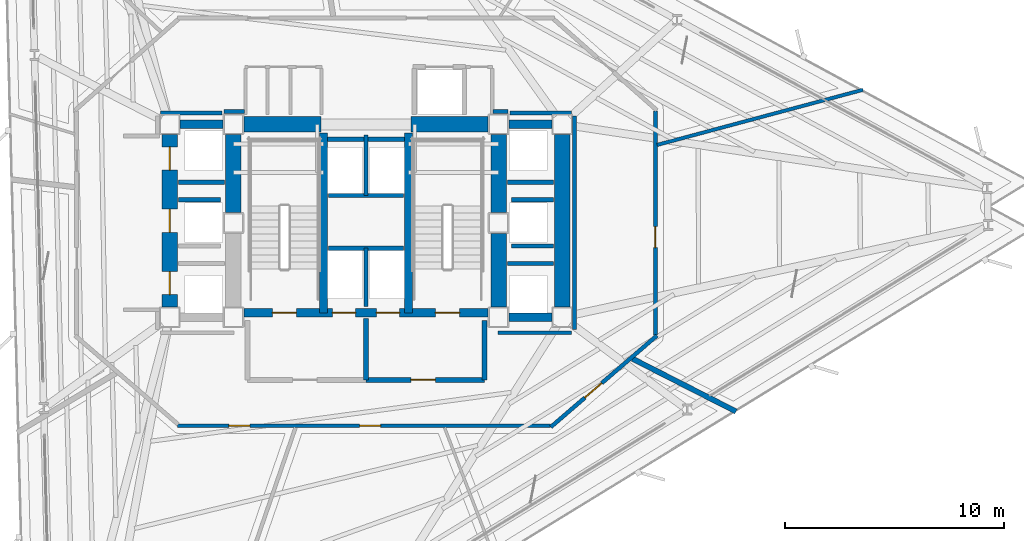
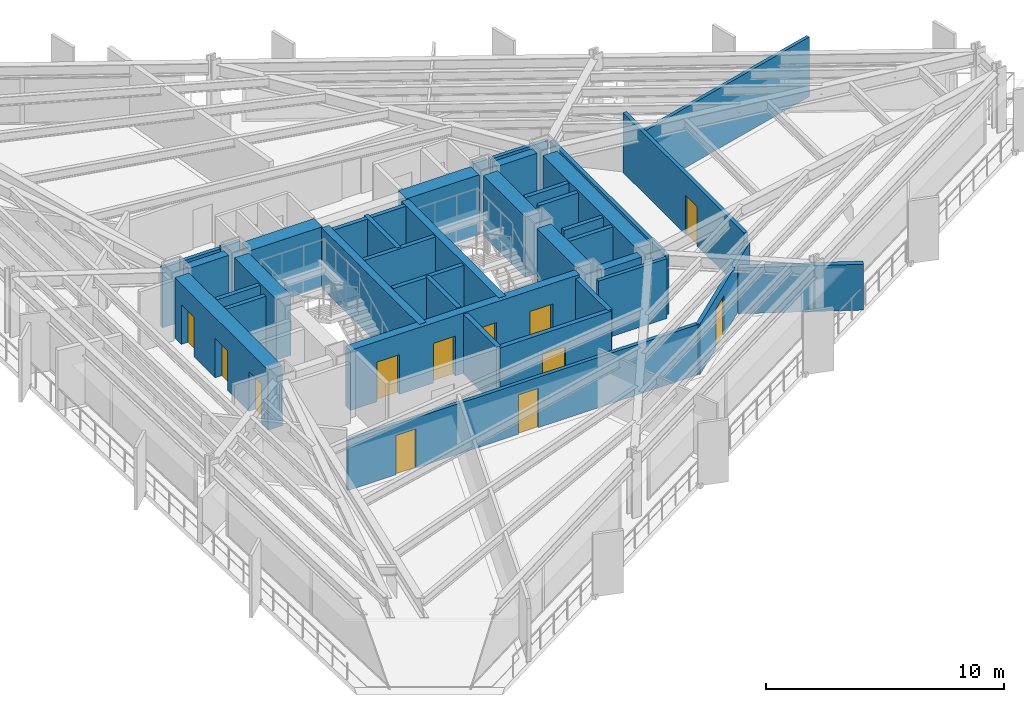
# One storey, part 8 of 14: 38 walls, 12 doors, 12 openings.
"""IFC4 building model written with IfcOpenShell, lengths in metres."""

from ifc_helpers import new_model, si_unit, direction, frame, frame_2d, origin, place, context, subcontext, project, spatial, rectangle, extrude, material, layer, layer_set, type_object, element, fill, save


model = new_model("IFC4")

# Units and contexts
model_context = context("Model", 3, precision=1e-05, world=origin(), true_north=direction((0.0, 1.0)))
body_context = subcontext(model_context, "Body", "Model", "MODEL_VIEW")
ifc_project = project(units=[si_unit("LENGTHUNIT", "METRE"), si_unit("AREAUNIT", "SQUARE_METRE"), si_unit("VOLUMEUNIT", "CUBIC_METRE"), si_unit("PLANEANGLEUNIT", "RADIAN"), si_unit("MASSUNIT", "GRAM", prefix="KILO")], contexts=[model_context])

# Site, building, storey
site_placement = place(None, origin())
site = spatial("IfcSite", under=ifc_project, at=site_placement, CompositionType="ELEMENT")
building_placement = place(site_placement, origin())
building = spatial("IfcBuilding", under=site, at=building_placement, Name="Rocaltana Carrier Exchange", CompositionType="ELEMENT")
storey_placement = place(building_placement, frame((0.0, 0.0, 28.9599609375)))
storey = spatial("IfcBuildingStorey", under=building, at=storey_placement, Name="L09", CompositionType="ELEMENT", Elevation=28.9599609375)

# Walls
ifc_material_1 = material(Name="Double Acoustic Gypsum Partition", Category="gypsum")
ifc_layer_1 = layer(ifc_material_1, 0.159912109375)
ifc_layer_set_1 = layer_set([ifc_layer_1], Name="Double Acoustic Gypsum Partition")
wall_type_1 = type_object("IfcWallType", Name="Acoustic Studio Partition 160 EI60", PredefinedType="PARTITIONING", material=ifc_layer_set_1)
wall_1_placement = place(storey_placement, frame((13.280029296875, 3.558349609375, 0.0), z_axis=(0.0, 0.0, 1.0), x_axis=(0.965926641133, 0.258816004043, 0.0)))
element("IfcWall", 1, at=wall_1_placement, inside=storey, type_object=wall_type_1, Name="L09 Suite Divider Wall D5", PredefinedType="PARTITIONING", context=body_context, shape_type="SweptSolid", body=[
    extrude(rectangle(XDim=9.7216796875, YDim=0.159912109375, at=frame_2d((4.86083984375, 0.0))), origin(), (0.0, 0.0, 1.0), 3.072998046875),
])
ifc_material_2 = material(Name="Concrete C50/60", Category="concrete")
ifc_layer_2 = layer(ifc_material_2, 0.35009765625)
ifc_layer_set_2 = layer_set([ifc_layer_2], Name="Concrete C50/60")
wall_type_2 = type_object("IfcWallType", Name="Core Internal Shear Wall 350", PredefinedType="SHEAR", material=ifc_layer_set_2)
for number, where, z_axis, x_axis, name in (
    (2, (-1.93994140625, -4.10009765625, 0.0), (0.0, 0.0, 1.0), (0.0, 1.0, 0.0), "L09 Core Shear Wall CW-STW"),
    (3, (1.93994140625, -4.10009765625, 0.0), (0.0, 0.0, 1.0), (0.0, 1.0, 0.0), "L09 Core Shear Wall CW-STE"),
):
    element("IfcWall", number, at=place(storey_placement, frame(where, z_axis=z_axis, x_axis=x_axis)), inside=storey, type_object=wall_type_2, Name=name, PredefinedType="SHEAR", context=body_context, shape_type="SweptSolid", body=[
        extrude(rectangle(XDim=8.2001953125, YDim=0.35009765625, at=frame_2d((4.10009765625, 0.0))), origin(), (0.0, 0.0, 1.0), 3.09814453125),
    ])

# Wall, openings, doors
ifc_material_3 = material(Name="Concrete C50/60", Category="concrete")
ifc_layer_3 = layer(ifc_material_3, 0.39990234375)
ifc_layer_set_3 = layer_set([ifc_layer_3], Name="Concrete C50/60")
wall_type_3 = type_object("IfcWallType", Name="Core Internal Shear Wall 400", PredefinedType="SHEAR", material=ifc_layer_set_3)
wall_2_placement = place(storey_placement, frame((-5.574951171875, -4.10009765625, 0.0), z_axis=(0.0, 0.0, 1.0), x_axis=(1.0, 0.0, 0.0)))
wall_2 = element("IfcWall", 4, at=wall_2_placement, inside=storey, type_object=wall_type_3, Name="L09 Core Shear Wall CW-S", PredefinedType="SHEAR", context=body_context, shape_type="SweptSolid", body=[
    extrude(rectangle(XDim=11.14990234375, YDim=0.39990234375, at=frame_2d((5.574951171875, 0.0))), origin(), (0.0, 0.0, 1.0), 3.09814453125),
])
opening_1_placement = place(wall_2_placement, frame((1.304931640625, 0.0, 0.0)))
opening_1 = element("IfcOpeningElement", 5, at=opening_1_placement, cuts=wall_2, Name="Opening D-ST110", PredefinedType="OPENING", context=body_context, shape_type="SweptSolid", body=[
    extrude(rectangle(XDim=1.10009765625, YDim=2.0400390625, at=frame_2d((0.550048828125, 1.02001953125))), frame((0.0, 0.2099609375, 0.0), z_axis=(0.0, -1.0, 0.0), x_axis=(1.0, 0.0, 0.0)), (0.0, 0.0, 1.0), 0.419921875),
])
opening_2_placement = place(wall_2_placement, frame((8.7451171875, 0.0, 0.0)))
opening_2 = element("IfcOpeningElement", 6, at=opening_2_placement, cuts=wall_2, Name="Opening D-ST110", PredefinedType="OPENING", context=body_context, shape_type="SweptSolid", body=[
    extrude(rectangle(XDim=1.10009765625, YDim=2.0400390625, at=frame_2d((0.550048828125, 1.02001953125))), frame((0.0, 0.2099609375, 0.0), z_axis=(0.0, -1.0, 0.0), x_axis=(1.0, 0.0, 0.0)), (0.0, 0.0, 1.0), 0.419921875),
])
opening_3_placement = place(wall_2_placement, frame((4.044921875, 0.0, 0.0)))
opening_3 = element("IfcOpeningElement", 7, at=opening_3_placement, cuts=wall_2, Name="Opening LD-110", PredefinedType="OPENING", context=body_context, shape_type="SweptSolid", body=[
    extrude(rectangle(XDim=1.06005859375, YDim=2.0400390625, at=frame_2d((0.530029296875, 1.02001953125))), frame((0.0, 0.2099609375, 0.0), z_axis=(0.0, -1.0, 0.0), x_axis=(1.0, 0.0, 0.0)), (0.0, 0.0, 1.0), 0.419921875),
])
opening_4_placement = place(wall_2_placement, frame((6.044921875, 0.0, 0.0)))
opening_4 = element("IfcOpeningElement", 8, at=opening_4_placement, cuts=wall_2, Name="Opening LD-110", PredefinedType="OPENING", context=body_context, shape_type="SweptSolid", body=[
    extrude(rectangle(XDim=1.06005859375, YDim=2.0400390625, at=frame_2d((0.530029296875, 1.02001953125))), frame((0.0, 0.2099609375, 0.0), z_axis=(0.0, -1.0, 0.0), x_axis=(1.0, 0.0, 0.0)), (0.0, 0.0, 1.0), 0.419921875),
])
ifc_material_4 = material(Name="Hollow Metal Fire Door Assembly", Category="steel")
door_type_1 = type_object("IfcDoorType", Name="Exit Stair Fire Door 1100x2040 FD90S", OperationType="NOTDEFINED", PredefinedType="DOOR", material=ifc_material_4)
door_1_placement = place(opening_1_placement, origin())
door_1 = element("IfcDoor", 9, at=door_1_placement, inside=storey, type_object=door_type_1, Name="L09 Exit Stair ST1 Fire Door", OperationType="SINGLE_SWING_RIGHT", OverallHeight=2.0400390625, OverallWidth=1.10009765625, PredefinedType="DOOR", context=body_context, shape_type="SweptSolid", body=[
    extrude(rectangle(XDim=1.10009765625, YDim=2.0400390625, at=frame_2d((0.550048828125, 1.02001953125))), frame((0.0, 0.02490234375, 0.0), z_axis=(0.0, -1.0, 0.0), x_axis=(1.0, 0.0, 0.0)), (0.0, 0.0, 1.0), 0.050048828125),
])
fill(opening_1, door_1)
door_2_placement = place(opening_2_placement, origin())
door_2 = element("IfcDoor", 10, at=door_2_placement, inside=storey, type_object=door_type_1, Name="L09 Exit Stair ST2 Fire Door", OperationType="SINGLE_SWING_LEFT", OverallHeight=2.0400390625, OverallWidth=1.10009765625, PredefinedType="DOOR", context=body_context, shape_type="SweptSolid", body=[
    extrude(rectangle(XDim=1.10009765625, YDim=2.0400390625, at=frame_2d((0.550048828125, 1.02001953125))), frame((0.0, 0.02490234375, 0.0), z_axis=(0.0, -1.0, 0.0), x_axis=(1.0, 0.0, 0.0)), (0.0, 0.0, 1.0), 0.050048828125),
])
fill(opening_2, door_2)
ifc_material_5 = material(Name="Brushed Stainless Sliding Door Leaf", Category="steel")
door_type_2 = type_object("IfcDoorType", Name="Lift Landing Sliding Door 1060x2040", OperationType="NOTDEFINED", PredefinedType="DOOR", material=ifc_material_5)
door_3_placement = place(opening_3_placement, origin())
door_3 = element("IfcDoor", 11, at=door_3_placement, inside=storey, type_object=door_type_2, Name="L09 Firefighting Lift FFL1 Landing Door", OperationType="SLIDING_TO_LEFT", OverallHeight=2.0400390625, OverallWidth=1.06005859375, PredefinedType="DOOR", context=body_context, shape_type="SweptSolid", body=[
    extrude(rectangle(XDim=1.06005859375, YDim=2.0400390625, at=frame_2d((0.530029296875, 1.02001953125))), frame((0.0, 0.02490234375, 0.0), z_axis=(0.0, -1.0, 0.0), x_axis=(1.0, 0.0, 0.0)), (0.0, 0.0, 1.0), 0.050048828125),
])
fill(opening_3, door_3)
door_4_placement = place(opening_4_placement, origin())
door_4 = element("IfcDoor", 12, at=door_4_placement, inside=storey, type_object=door_type_2, Name="L09 Firefighting Lift FFL2 Landing Door", OperationType="SLIDING_TO_RIGHT", OverallHeight=2.0400390625, OverallWidth=1.06005859375, PredefinedType="DOOR", context=body_context, shape_type="SweptSolid", body=[
    extrude(rectangle(XDim=1.06005859375, YDim=2.0400390625, at=frame_2d((0.530029296875, 1.02001953125))), frame((0.0, 0.02490234375, 0.0), z_axis=(0.0, -1.0, 0.0), x_axis=(1.0, 0.0, 0.0)), (0.0, 0.0, 1.0), 0.050048828125),
])
fill(opening_4, door_4)

# Walls
for number, where, z_axis, x_axis, name in (
    (13, (-8.47509765625, 4.5, 0.0), (0.0, 0.0, 1.0), (1.0, 0.0, 0.0), "L09 Core Shear Wall CW-WWN"),
    (14, (6.52490234375, 4.5, 0.0), (0.0, 0.0, 1.0), (1.0, 0.0, 0.0), "L09 Core Shear Wall CW-EWN"),
    (15, (6.52490234375, -4.300048828125, 0.0), (0.0, 0.0, 1.0), (1.0, 0.0, 0.0), "L09 Core Shear Wall CW-EWS"),
):
    element("IfcWall", number, at=place(storey_placement, frame(where, z_axis=z_axis, x_axis=x_axis)), inside=storey, type_object=wall_type_3, Name=name, PredefinedType="SHEAR", context=body_context, shape_type="SweptSolid", body=[
        extrude(rectangle(XDim=1.9501953125, YDim=0.39990234375, at=frame_2d((0.97509765625, 0.0))), origin(), (0.0, 0.0, 1.0), 3.09814453125),
    ])
ifc_material_6 = material(Name="Concrete C60/75", Category="concrete")
ifc_layer_4 = layer(ifc_material_6, 0.699951171875)
ifc_layer_set_4 = layer_set([ifc_layer_4], Name="Concrete C60/75")
wall_type_4 = type_object("IfcWallType", Name="Core Shear Wall 700", PredefinedType="SHEAR", material=ifc_layer_set_4)
for number, where, z_axis, x_axis, name in (
    (16, (-6.050048828125, 0.47509765625, 0.0), (0.0, 0.0, 1.0), (0.0, 1.0, 0.0), "L09 Core Shear Wall CW-WN"),
    (17, (6.050048828125, 0.47509765625, 0.0), (0.0, 0.0, 1.0), (0.0, 1.0, 0.0), "L09 Core Shear Wall CW-EN"),
):
    element("IfcWall", number, at=place(storey_placement, frame(where, z_axis=z_axis, x_axis=x_axis)), inside=storey, type_object=wall_type_4, Name=name, PredefinedType="SHEAR", context=body_context, shape_type="SweptSolid", body=[
        extrude(rectangle(XDim=3.5498046875, YDim=0.699951171875, at=frame_2d((1.77490234375, 0.0))), origin(), (0.0, 0.0, 1.0), 3.09814453125),
    ])
wall_3_placement = place(storey_placement, frame((6.050048828125, -3.824951171875, 0.0), z_axis=(0.0, 0.0, 1.0), x_axis=(0.0, 1.0, 0.0)))
element("IfcWall", 18, at=wall_3_placement, inside=storey, type_object=wall_type_4, Name="L09 Core Shear Wall CW-ES", PredefinedType="SHEAR", context=body_context, shape_type="SweptSolid", body=[
    extrude(rectangle(XDim=3.349853515625, YDim=0.699951171875, at=frame_2d((1.6748046875, 0.0))), origin(), (0.0, 0.0, 1.0), 3.09814453125),
])
for number, where, z_axis, x_axis, name in (
    (19, (-5.574951171875, 4.5, 0.0), (0.0, 0.0, 1.0), (1.0, 0.0, 0.0), "L09 Core Shear Wall CW-N1"),
    (20, (2.050048828125, 4.5, 0.0), (0.0, 0.0, 1.0), (1.0, 0.0, 0.0), "L09 Core Shear Wall CW-N2"),
):
    element("IfcWall", number, at=place(storey_placement, frame(where, z_axis=z_axis, x_axis=x_axis)), inside=storey, type_object=wall_type_4, Name=name, PredefinedType="SHEAR", context=body_context, shape_type="SweptSolid", body=[
        extrude(rectangle(XDim=3.52490234375, YDim=0.699951171875, at=frame_2d((1.762451171875, 0.0))), origin(), (0.0, 0.0, 1.0), 3.09814453125),
    ])

# Wall, openings, doors
wall_4_placement = place(storey_placement, frame((-8.949951171875, -3.824951171875, 0.0), z_axis=(0.0, 0.0, 1.0), x_axis=(0.0, 1.0, 0.0)))
wall_4 = element("IfcWall", 21, at=wall_4_placement, inside=storey, type_object=wall_type_4, Name="L09 Core Shear Wall CW-WW", PredefinedType="SHEAR", context=body_context, shape_type="SweptSolid", body=[
    extrude(rectangle(XDim=7.849853515625, YDim=0.699951171875, at=frame_2d((3.9248046875, 0.0))), origin(), (0.0, 0.0, 1.0), 3.09814453125),
])
opening_5_placement = place(wall_4_placement, frame((0.550048828125, 0.0, 0.0)))
opening_5 = element("IfcOpeningElement", 22, at=opening_5_placement, cuts=wall_4, Name="Opening LD-110", PredefinedType="OPENING", context=body_context, shape_type="SweptSolid", body=[
    extrude(rectangle(XDim=1.06005859375, YDim=2.0400390625, at=frame_2d((0.530029296875, 1.02001953125))), frame((0.0, 0.35986328125, 0.0), z_axis=(0.0, -1.0, 0.0), x_axis=(1.0, 0.0, 0.0)), (0.0, 0.0, 1.0), 0.719970703125),
])
opening_6_placement = place(wall_4_placement, frame((3.39501953125, 0.0, 0.0)))
opening_6 = element("IfcOpeningElement", 23, at=opening_6_placement, cuts=wall_4, Name="Opening LD-110", PredefinedType="OPENING", context=body_context, shape_type="SweptSolid", body=[
    extrude(rectangle(XDim=1.06005859375, YDim=2.0400390625, at=frame_2d((0.530029296875, 1.02001953125))), frame((0.0, 0.35986328125, 0.0), z_axis=(0.0, -1.0, 0.0), x_axis=(1.0, 0.0, 0.0)), (0.0, 0.0, 1.0), 0.719970703125),
])
opening_7_placement = place(wall_4_placement, frame((6.22998046875, 0.0, 0.0)))
opening_7 = element("IfcOpeningElement", 24, at=opening_7_placement, cuts=wall_4, Name="Opening LD-110", PredefinedType="OPENING", context=body_context, shape_type="SweptSolid", body=[
    extrude(rectangle(XDim=1.06005859375, YDim=2.0400390625, at=frame_2d((0.530029296875, 1.02001953125))), frame((0.0, 0.35986328125, 0.0), z_axis=(0.0, -1.0, 0.0), x_axis=(1.0, 0.0, 0.0)), (0.0, 0.0, 1.0), 0.719970703125),
])
door_5_placement = place(opening_5_placement, origin())
door_5 = element("IfcDoor", 25, at=door_5_placement, inside=storey, type_object=door_type_2, Name="L09 Low-Rise Lift PL-L1 Landing Door", OperationType="SLIDING_TO_LEFT", OverallHeight=2.0400390625, OverallWidth=1.06005859375, PredefinedType="DOOR", context=body_context, shape_type="SweptSolid", body=[
    extrude(rectangle(XDim=1.06005859375, YDim=2.0400390625, at=frame_2d((0.530029296875, 1.02001953125))), frame((0.0, 0.02490234375, 0.0), z_axis=(0.0, -1.0, 0.0), x_axis=(1.0, 0.0, 0.0)), (0.0, 0.0, 1.0), 0.050048828125),
])
fill(opening_5, door_5)
door_6_placement = place(opening_6_placement, origin())
door_6 = element("IfcDoor", 26, at=door_6_placement, inside=storey, type_object=door_type_2, Name="L09 Low-Rise Lift PL-L2 Landing Door", OperationType="SLIDING_TO_RIGHT", OverallHeight=2.0400390625, OverallWidth=1.06005859375, PredefinedType="DOOR", context=body_context, shape_type="SweptSolid", body=[
    extrude(rectangle(XDim=1.06005859375, YDim=2.0400390625, at=frame_2d((0.530029296875, 1.02001953125))), frame((0.0, 0.02490234375, 0.0), z_axis=(0.0, -1.0, 0.0), x_axis=(1.0, 0.0, 0.0)), (0.0, 0.0, 1.0), 0.050048828125),
])
fill(opening_6, door_6)
door_7_placement = place(opening_7_placement, origin())
door_7 = element("IfcDoor", 27, at=door_7_placement, inside=storey, type_object=door_type_2, Name="L09 Low-Rise Lift PL-L3 Landing Door", OperationType="SLIDING_TO_LEFT", OverallHeight=2.0400390625, OverallWidth=1.06005859375, PredefinedType="DOOR", context=body_context, shape_type="SweptSolid", body=[
    extrude(rectangle(XDim=1.06005859375, YDim=2.0400390625, at=frame_2d((0.530029296875, 1.02001953125))), frame((0.0, 0.02490234375, 0.0), z_axis=(0.0, -1.0, 0.0), x_axis=(1.0, 0.0, 0.0)), (0.0, 0.0, 1.0), 0.050048828125),
])
fill(opening_7, door_7)

# Wall
wall_5_placement = place(storey_placement, frame((8.949951171875, -3.824951171875, 0.0), z_axis=(0.0, 0.0, 1.0), x_axis=(0.0, 1.0, 0.0)))
element("IfcWall", 28, at=wall_5_placement, inside=storey, type_object=wall_type_4, Name="L09 Core Shear Wall CW-EW", PredefinedType="SHEAR", context=body_context, shape_type="SweptSolid", body=[
    extrude(rectangle(XDim=7.849853515625, YDim=0.699951171875, at=frame_2d((3.9248046875, 0.0))), origin(), (0.0, 0.0, 1.0), 3.09814453125),
])

# Wall, opening, door
ifc_material_7 = material(Name="Gypsum & Steel Stud Partition", Category="steel")
ifc_layer_5 = layer(ifc_material_7, 0.179931640625)
ifc_layer_set_5 = layer_set([ifc_layer_5], Name="Gypsum & Steel Stud Partition")
wall_type_5 = type_object("IfcWallType", Name="Corridor Fire Partition 180 EI60", PredefinedType="PARTITIONING", material=ifc_layer_set_5)
wall_6_placement = place(storey_placement, frame((13.199951171875, 5.110107421875, 0.0), z_axis=(0.0, 0.0, 1.0), x_axis=(0.0, -1.0, 0.0)))
wall_6 = element("IfcWall", 29, at=wall_6_placement, inside=storey, type_object=wall_type_5, Name="L09 Corridor Partition 3", PredefinedType="PARTITIONING", context=body_context, shape_type="SweptSolid", body=[
    extrude(rectangle(XDim=10.22021484375, YDim=0.179931640625, at=frame_2d((5.110107421875, 0.0))), origin(), (0.0, 0.0, 1.0), 3.072998046875),
])
opening_8_placement = place(wall_6_placement, frame((5.27685546875, 0.0, 0.0)))
opening_8 = element("IfcOpeningElement", 30, at=opening_8_placement, cuts=wall_6, Name="Opening D-RM098", PredefinedType="OPENING", context=body_context, shape_type="SweptSolid", body=[
    extrude(rectangle(XDim=0.9599609375, YDim=2.02001953125, at=frame_2d((0.47998046875, 1.010009765625))), frame((0.0, 0.099853515625, 0.0), z_axis=(0.0, -1.0, 0.0), x_axis=(1.0, 0.0, 0.0)), (0.0, 0.0, 1.0), 0.199951171875),
])
ifc_material_8 = material(Name="Engineered Hardwood Timber", Category="wood")
door_type_3 = type_object("IfcDoorType", Name="Workspace Single Door 960x2020", OperationType="NOTDEFINED", PredefinedType="DOOR", material=ifc_material_8)
door_8_placement = place(opening_8_placement, origin())
door_8 = element("IfcDoor", 31, at=door_8_placement, inside=storey, type_object=door_type_3, Name="L09 Executive Peering Boardroom Entrance Door", OperationType="SINGLE_SWING_RIGHT", OverallHeight=2.02001953125, OverallWidth=0.9599609375, PredefinedType="DOOR", context=body_context, shape_type="SweptSolid", body=[
    extrude(rectangle(XDim=0.9599609375, YDim=2.02001953125, at=frame_2d((0.47998046875, 1.010009765625))), frame((0.0, 0.02490234375, 0.0), z_axis=(0.0, -1.0, 0.0), x_axis=(1.0, 0.0, 0.0)), (0.0, 0.0, 1.0), 0.050048828125),
])
fill(opening_8, door_8)

wall_7_placement = place(storey_placement, frame((13.268310546875, -5.14111328125, 0.0), z_axis=(0.0, 0.0, 1.0), x_axis=(-0.757534501725, -0.65279512766, 0.0)))
wall_7 = element("IfcWall", 32, at=wall_7_placement, inside=storey, type_object=wall_type_5, Name="L09 Corridor Partition 4", PredefinedType="PARTITIONING", context=body_context, shape_type="SweptSolid", body=[
    extrude(rectangle(XDim=6.384521484375, YDim=0.179931640625, at=frame_2d((3.1923828125, 0.0))), origin(), (0.0, 0.0, 1.0), 2.587158203125),
])
opening_9_placement = place(wall_7_placement, frame((3.315673828125, 0.0, 0.0)))
opening_9 = element("IfcOpeningElement", 33, at=opening_9_placement, cuts=wall_7, Name="Opening D-LB104", PredefinedType="OPENING", context=body_context, shape_type="SweptSolid", body=[
    extrude(rectangle(XDim=1.02001953125, YDim=2.02001953125, at=frame_2d((0.510009765625, 1.010009765625))), frame((0.0, 0.099853515625, 0.0), z_axis=(0.0, -1.0, 0.0), x_axis=(1.0, 0.0, 0.0)), (0.0, 0.0, 1.0), 0.199951171875),
])
ifc_material_9 = material(Name="Powder-Coated Aluminium 6063-T6", Category="aluminium")
door_type_4 = type_object("IfcDoorType", Name="Laboratory Acoustic Door 1020x2020", OperationType="NOTDEFINED", PredefinedType="DOOR", material=ifc_material_9)
door_9_placement = place(opening_9_placement, origin())
door_9 = element("IfcDoor", 34, at=door_9_placement, inside=storey, type_object=door_type_4, Name="L09 Optical Switching Laboratory Entrance Door", OperationType="SINGLE_SWING_LEFT", OverallHeight=2.02001953125, OverallWidth=1.02001953125, PredefinedType="DOOR", context=body_context, shape_type="SweptSolid", body=[
    extrude(rectangle(XDim=1.02001953125, YDim=2.02001953125, at=frame_2d((0.510009765625, 1.010009765625))), frame((0.0, 0.02490234375, 0.0), z_axis=(0.0, -1.0, 0.0), x_axis=(1.0, 0.0, 0.0)), (0.0, 0.0, 1.0), 0.050048828125),
])
fill(opening_9, door_9)

# Wall, openings, doors
wall_8_placement = place(storey_placement, frame((8.409912109375, -9.25, 0.0), z_axis=(0.0, 0.0, 1.0), x_axis=(-1.0, 0.0, 0.0)))
wall_8 = element("IfcWall", 35, at=wall_8_placement, inside=storey, type_object=wall_type_5, Name="L09 Corridor Partition 5", PredefinedType="PARTITIONING", context=body_context, shape_type="SweptSolid", body=[
    extrude(rectangle(XDim=17.0, YDim=0.179931640625, at=frame_2d((8.5, 0.0))), origin(), (0.0, 0.0, 1.0), 2.587158203125),
])
opening_10_placement = place(wall_8_placement, frame((13.703369140625, 0.0, 0.0)))
opening_10 = element("IfcOpeningElement", 36, at=opening_10_placement, cuts=wall_8, Name="Opening D-RM098", PredefinedType="OPENING", context=body_context, shape_type="SweptSolid", body=[
    extrude(rectangle(XDim=0.9599609375, YDim=2.02001953125, at=frame_2d((0.47998046875, 1.010009765625))), frame((0.0, 0.099853515625, 0.0), z_axis=(0.0, -1.0, 0.0), x_axis=(1.0, 0.0, 0.0)), (0.0, 0.0, 1.0), 0.199951171875),
])
opening_11_placement = place(wall_8_placement, frame((7.745361328125, 0.0, 0.0)))
opening_11 = element("IfcOpeningElement", 37, at=opening_11_placement, cuts=wall_8, Name="Opening D-RM098", PredefinedType="OPENING", context=body_context, shape_type="SweptSolid", body=[
    extrude(rectangle(XDim=0.9599609375, YDim=2.02001953125, at=frame_2d((0.47998046875, 1.010009765625))), frame((0.0, 0.099853515625, 0.0), z_axis=(0.0, -1.0, 0.0), x_axis=(1.0, 0.0, 0.0)), (0.0, 0.0, 1.0), 0.199951171875),
])
door_10_placement = place(opening_10_placement, origin())
door_10 = element("IfcDoor", 38, at=door_10_placement, inside=storey, type_object=door_type_3, Name="L09 Incident Briefing Room Entrance Door", OperationType="SINGLE_SWING_LEFT", OverallHeight=2.02001953125, OverallWidth=0.9599609375, PredefinedType="DOOR", context=body_context, shape_type="SweptSolid", body=[
    extrude(rectangle(XDim=0.9599609375, YDim=2.02001953125, at=frame_2d((0.47998046875, 1.010009765625))), frame((0.0, 0.02490234375, 0.0), z_axis=(0.0, -1.0, 0.0), x_axis=(1.0, 0.0, 0.0)), (0.0, 0.0, 1.0), 0.050048828125),
])
fill(opening_10, door_10)
door_11_placement = place(opening_11_placement, origin())
door_11 = element("IfcDoor", 39, at=door_11_placement, inside=storey, type_object=door_type_3, Name="L09 Peering Conference Room Entrance Door", OperationType="SINGLE_SWING_RIGHT", OverallHeight=2.02001953125, OverallWidth=0.9599609375, PredefinedType="DOOR", context=body_context, shape_type="SweptSolid", body=[
    extrude(rectangle(XDim=0.9599609375, YDim=2.02001953125, at=frame_2d((0.47998046875, 1.010009765625))), frame((0.0, 0.02490234375, 0.0), z_axis=(0.0, -1.0, 0.0), x_axis=(1.0, 0.0, 0.0)), (0.0, 0.0, 1.0), 0.050048828125),
])
fill(opening_11, door_11)

# Walls
wall_9_placement = place(storey_placement, frame((6.030029296875, -5.010009765625, 0.0), z_axis=(0.0, 0.0, 1.0), x_axis=(1.0, 0.0, 0.0)))
element("IfcWall", 40, at=wall_9_placement, inside=storey, type_object=wall_type_5, Name="L09 Corridor Partition 16", PredefinedType="PARTITIONING", context=body_context, shape_type="SweptSolid", body=[
    extrude(rectangle(XDim=3.340087890625, YDim=0.179931640625, at=frame_2d((1.669921875, 0.0))), origin(), (0.0, 0.0, 1.0), 3.072998046875),
])
wall_10_placement = place(storey_placement, frame((9.510009765625, -4.8701171875, 0.0), z_axis=(0.0, 0.0, 1.0), x_axis=(0.0, 1.0, 0.0)))
element("IfcWall", 41, at=wall_10_placement, inside=storey, type_object=wall_type_5, Name="L09 Corridor Partition 17", PredefinedType="PARTITIONING", context=body_context, shape_type="SweptSolid", body=[
    extrude(rectangle(XDim=9.740234375, YDim=0.179931640625, at=frame_2d((4.8701171875, 0.0))), origin(), (0.0, 0.0, 1.0), 3.072998046875),
])
wall_11_placement = place(storey_placement, frame((9.3701171875, 5.010009765625, 0.0), z_axis=(0.0, 0.0, 1.0), x_axis=(-1.0, 0.0, 0.0)))
element("IfcWall", 42, at=wall_11_placement, inside=storey, type_object=wall_type_5, Name="L09 Corridor Partition 18", PredefinedType="PARTITIONING", context=body_context, shape_type="SweptSolid", body=[
    extrude(rectangle(XDim=2.807861328125, YDim=0.179931640625, at=frame_2d((1.40380859375, 0.0))), origin(), (0.0, 0.0, 1.0), 3.072998046875),
])
wall_12_placement = place(storey_placement, frame((6.469970703125, 5.080078125, 0.0), z_axis=(0.0, 0.0, 1.0), x_axis=(-1.0, 0.0, 0.0)))
element("IfcWall", 43, at=wall_12_placement, inside=storey, type_object=wall_type_5, Name="L09 Corridor Partition 19", PredefinedType="PARTITIONING", context=body_context, shape_type="SweptSolid", body=[
    extrude(rectangle(XDim=0.679931640625, YDim=0.179931640625, at=frame_2d((0.33984375, 0.0))), origin(), (0.0, 0.0, 1.0), 3.072998046875),
])
wall_13_placement = place(storey_placement, frame((-5.550048828125, 5.080078125, 0.0), z_axis=(0.0, 0.0, 1.0), x_axis=(-1.0, 0.0, 0.0)))
element("IfcWall", 44, at=wall_13_placement, inside=storey, type_object=wall_type_5, Name="L09 Corridor Partition 22", PredefinedType="PARTITIONING", context=body_context, shape_type="SweptSolid", body=[
    extrude(rectangle(XDim=0.919921875, YDim=0.179931640625, at=frame_2d((0.4599609375, 0.0))), origin(), (0.0, 0.0, 1.0), 3.072998046875),
])
wall_14_placement = place(storey_placement, frame((-6.562255859375, 5.010009765625, 0.0), z_axis=(0.0, 0.0, 1.0), x_axis=(-1.0, 0.0, 0.0)))
element("IfcWall", 45, at=wall_14_placement, inside=storey, type_object=wall_type_5, Name="L09 Corridor Partition 23", PredefinedType="PARTITIONING", context=body_context, shape_type="SweptSolid", body=[
    extrude(rectangle(XDim=2.807861328125, YDim=0.179931640625, at=frame_2d((1.40380859375, 0.0))), origin(), (0.0, 0.0, 1.0), 3.072998046875),
])
ifc_material_10 = material(Name="Autoclaved Aerated Concrete C30/37", Category="concrete")
ifc_layer_6 = layer(ifc_material_10, 0.219970703125)
ifc_layer_set_6 = layer_set([ifc_layer_6], Name="Autoclaved Aerated Concrete C30/37")
wall_type_6 = type_object("IfcWallType", Name="Firefighting Lobby Wall 220 EI120", PredefinedType="PARTITIONING", material=ifc_layer_set_6)
wall_15_placement = place(storey_placement, frame((5.39990234375, -7.159912109375, 0.0), z_axis=(0.0, 0.0, 1.0), x_axis=(0.0, 1.0, 0.0)))
element("IfcWall", 46, at=wall_15_placement, inside=storey, type_object=wall_type_6, Name="L09 FFL Lobby 2 East Wall", PredefinedType="PARTITIONING", context=body_context, shape_type="SweptSolid", body=[
    extrude(rectangle(XDim=2.7099609375, YDim=0.219970703125, at=frame_2d((1.35498046875, 0.0))), origin(), (0.0, 0.0, 1.0), 3.072998046875),
])
wall_16_placement = place(storey_placement, frame((0.0, -7.159912109375, 0.0), z_axis=(0.0, 0.0, 1.0), x_axis=(0.0, 1.0, 0.0)))
element("IfcWall", 47, at=wall_16_placement, inside=storey, type_object=wall_type_6, Name="L09 FFL Lobby Centre Wall", PredefinedType="PARTITIONING", context=body_context, shape_type="SweptSolid", body=[
    extrude(rectangle(XDim=2.809814453125, YDim=0.219970703125, at=frame_2d((1.40478515625, 0.0))), origin(), (0.0, 0.0, 1.0), 3.072998046875),
])

# Wall, opening, door
wall_17_placement = place(storey_placement, frame((0.0, -7.159912109375, 0.0), z_axis=(0.0, 0.0, 1.0), x_axis=(1.0, 0.0, 0.0)))
wall_17 = element("IfcWall", 48, at=wall_17_placement, inside=storey, type_object=wall_type_6, Name="L09 FFL Lobby 2 South Wall", PredefinedType="PARTITIONING", context=body_context, shape_type="SweptSolid", body=[
    extrude(rectangle(XDim=5.39990234375, YDim=0.219970703125, at=frame_2d((2.699951171875, 0.0))), origin(), (0.0, 0.0, 1.0), 3.072998046875),
])
opening_12_placement = place(wall_17_placement, frame((2.050048828125, 0.0, 0.0)))
opening_12 = element("IfcOpeningElement", 49, at=opening_12_placement, cuts=wall_17, Name="Opening D-FF115", PredefinedType="OPENING", context=body_context, shape_type="SweptSolid", body=[
    extrude(rectangle(XDim=1.1201171875, YDim=2.02001953125, at=frame_2d((0.56005859375, 1.010009765625))), frame((0.0, 0.119873046875, 0.0), z_axis=(0.0, -1.0, 0.0), x_axis=(1.0, 0.0, 0.0)), (0.0, 0.0, 1.0), 0.239990234375),
])
ifc_material_11 = material(Name="Hollow Metal Fire Door Assembly", Category="steel")
door_type_5 = type_object("IfcDoorType", Name="Firefighting Lobby Door 1120x2020 FD60S", OperationType="NOTDEFINED", PredefinedType="DOOR", material=ifc_material_11)
door_12_placement = place(opening_12_placement, origin())
door_12 = element("IfcDoor", 50, at=door_12_placement, inside=storey, type_object=door_type_5, Name="L09 Firefighting Lift Lobby 2 Door", OperationType="SINGLE_SWING_LEFT", OverallHeight=2.02001953125, OverallWidth=1.1201171875, PredefinedType="DOOR", context=body_context, shape_type="SweptSolid", body=[
    extrude(rectangle(XDim=1.1201171875, YDim=2.02001953125, at=frame_2d((0.56005859375, 1.010009765625))), frame((0.0, 0.02490234375, 0.0), z_axis=(0.0, -1.0, 0.0), x_axis=(1.0, 0.0, 0.0)), (0.0, 0.0, 1.0), 0.050048828125),
])
fill(opening_12, door_12)

# Walls
ifc_material_12 = material(Name="Acoustic Calcium Silicate Partition", Category="gypsum")
ifc_layer_7 = layer(ifc_material_12, 0.239990234375)
ifc_layer_set_7 = layer_set([ifc_layer_7], Name="Acoustic Calcium Silicate Partition")
wall_type_7 = type_object("IfcWallType", Name="Heavy Lab Partition 240 EI90", PredefinedType="PARTITIONING", material=ifc_layer_set_7)
wall_18_placement = place(storey_placement, frame((12.164306640625, -6.197998046875, 0.0), z_axis=(0.0, 0.0, 1.0), x_axis=(0.890999034188, -0.454005199394, 0.0)))
element("IfcWall", 51, at=wall_18_placement, inside=storey, type_object=wall_type_7, Name="L09 Suite Divider Wall D4", PredefinedType="PARTITIONING", context=body_context, shape_type="SweptSolid", body=[
    extrude(rectangle(XDim=5.295654296875, YDim=0.239990234375, at=frame_2d((2.64794921875, 0.0))), origin(), (0.0, 0.0, 1.0), 2.358154296875),
])
ifc_material_13 = material(Name="Reinforced Concrete Block C35/45", Category="concrete")
ifc_layer_8 = layer(ifc_material_13, 0.199951171875)
ifc_layer_set_8 = layer_set([ifc_layer_8], Name="Reinforced Concrete Block C35/45")
wall_type_8 = type_object("IfcWallType", Name="Lift Hoistway Enclosure Wall 200 EI120", PredefinedType="PARTITIONING", material=ifc_layer_set_8)
wall_19_placement = place(storey_placement, frame((0.0, -3.820068359375, 0.0), z_axis=(0.0, 0.0, 1.0), x_axis=(0.0, 1.0, 0.0)))
element("IfcWall", 52, at=wall_19_placement, inside=storey, type_object=wall_type_8, Name="L09 FFL Shaft Divider", PredefinedType="PARTITIONING", context=body_context, shape_type="SweptSolid", body=[
    extrude(rectangle(XDim=2.670166015625, YDim=0.199951171875, at=frame_2d((1.3349609375, 0.0))), origin(), (0.0, 0.0, 1.0), 3.072998046875),
])
wall_20_placement = place(storey_placement, frame((-1.719970703125, -1.14990234375, 0.0), z_axis=(0.0, 0.0, 1.0), x_axis=(1.0, 0.0, 0.0)))
element("IfcWall", 53, at=wall_20_placement, inside=storey, type_object=wall_type_8, Name="L09 FFL Shaft Back Wall", PredefinedType="PARTITIONING", context=body_context, shape_type="SweptSolid", body=[
    extrude(rectangle(XDim=3.43994140625, YDim=0.199951171875, at=frame_2d((1.719970703125, 0.0))), origin(), (0.0, 0.0, 1.0), 3.072998046875),
])
wall_21_placement = place(storey_placement, frame((0.0, 1.25, 0.0), z_axis=(0.0, 0.0, 1.0), x_axis=(0.0, 1.0, 0.0)))
element("IfcWall", 54, at=wall_21_placement, inside=storey, type_object=wall_type_8, Name="L09 High-Rise Shaft Divider", PredefinedType="PARTITIONING", context=body_context, shape_type="SweptSolid", body=[
    extrude(rectangle(XDim=2.77001953125, YDim=0.199951171875, at=frame_2d((1.385009765625, 0.0))), origin(), (0.0, 0.0, 1.0), 3.072998046875),
])
wall_22_placement = place(storey_placement, frame((-1.719970703125, 1.25, 0.0), z_axis=(0.0, 0.0, 1.0), x_axis=(1.0, 0.0, 0.0)))
element("IfcWall", 55, at=wall_22_placement, inside=storey, type_object=wall_type_8, Name="L09 High-Rise Shaft Back Wall", PredefinedType="PARTITIONING", context=body_context, shape_type="SweptSolid", body=[
    extrude(rectangle(XDim=3.43994140625, YDim=0.199951171875, at=frame_2d((1.719970703125, 0.0))), origin(), (0.0, 0.0, 1.0), 3.072998046875),
])
wall_23_placement = place(storey_placement, frame((-1.760009765625, 3.820068359375, 0.0), z_axis=(0.0, 0.0, 1.0), x_axis=(1.0, 0.0, 0.0)))
element("IfcWall", 56, at=wall_23_placement, inside=storey, type_object=wall_type_8, Name="L09 High-Rise Lift Front Wall", PredefinedType="PARTITIONING", context=body_context, shape_type="SweptSolid", body=[
    extrude(rectangle(XDim=3.52001953125, YDim=0.199951171875, at=frame_2d((1.760009765625, 0.0))), origin(), (0.0, 0.0, 1.0), 3.072998046875),
])
wall_24_placement = place(storey_placement, frame((-8.550048828125, 1.85009765625, 0.0), z_axis=(0.0, 0.0, 1.0), x_axis=(1.0, 0.0, 0.0)))
element("IfcWall", 57, at=wall_24_placement, inside=storey, type_object=wall_type_8, Name="L09 Low-Rise Shaft Divider 2", PredefinedType="PARTITIONING", context=body_context, shape_type="SweptSolid", body=[
    extrude(rectangle(XDim=2.10009765625, YDim=0.199951171875, at=frame_2d((1.050048828125, 0.0))), origin(), (0.0, 0.0, 1.0), 3.072998046875),
])
wall_25_placement = place(storey_placement, frame((-8.550048828125, 1.050048828125, 0.0), z_axis=(0.0, 0.0, 1.0), x_axis=(1.0, 0.0, 0.0)))
element("IfcWall", 58, at=wall_25_placement, inside=storey, type_object=wall_type_8, Name="L09 Low-Rise Center Shaft Wall North", PredefinedType="PARTITIONING", context=body_context, shape_type="SweptSolid", body=[
    extrude(rectangle(XDim=1.91015625, YDim=0.199951171875, at=frame_2d((0.955078125, 0.0))), origin(), (0.0, 0.0, 1.0), 3.072998046875),
])
for number, where, z_axis, x_axis, name in (
    (59, (6.449951171875, -1.85009765625, 0.0), (0.0, 0.0, 1.0), (1.0, 0.0, 0.0), "L09 Mid-Rise Shaft Divider 1"),
    (60, (6.449951171875, 1.85009765625, 0.0), (0.0, 0.0, 1.0), (1.0, 0.0, 0.0), "L09 Mid-Rise Shaft Divider 2"),
):
    element("IfcWall", number, at=place(storey_placement, frame(where, z_axis=z_axis, x_axis=x_axis)), inside=storey, type_object=wall_type_8, Name=name, PredefinedType="PARTITIONING", context=body_context, shape_type="SweptSolid", body=[
        extrude(rectangle(XDim=2.10009765625, YDim=0.199951171875, at=frame_2d((1.050048828125, 0.0))), origin(), (0.0, 0.0, 1.0), 3.072998046875),
    ])
for number, where, z_axis, x_axis, name in (
    (61, (6.639892578125, -1.050048828125, 0.0), (0.0, 0.0, 1.0), (1.0, 0.0, 0.0), "L09 Mid-Rise Center Shaft Wall South"),
    (62, (6.639892578125, 1.050048828125, 0.0), (0.0, 0.0, 1.0), (1.0, 0.0, 0.0), "L09 Mid-Rise Center Shaft Wall North"),
):
    element("IfcWall", number, at=place(storey_placement, frame(where, z_axis=z_axis, x_axis=x_axis)), inside=storey, type_object=wall_type_8, Name=name, PredefinedType="PARTITIONING", context=body_context, shape_type="SweptSolid", body=[
        extrude(rectangle(XDim=1.91015625, YDim=0.199951171875, at=frame_2d((0.955078125, 0.0))), origin(), (0.0, 0.0, 1.0), 3.072998046875),
    ])

save(model, "model.ifc")
